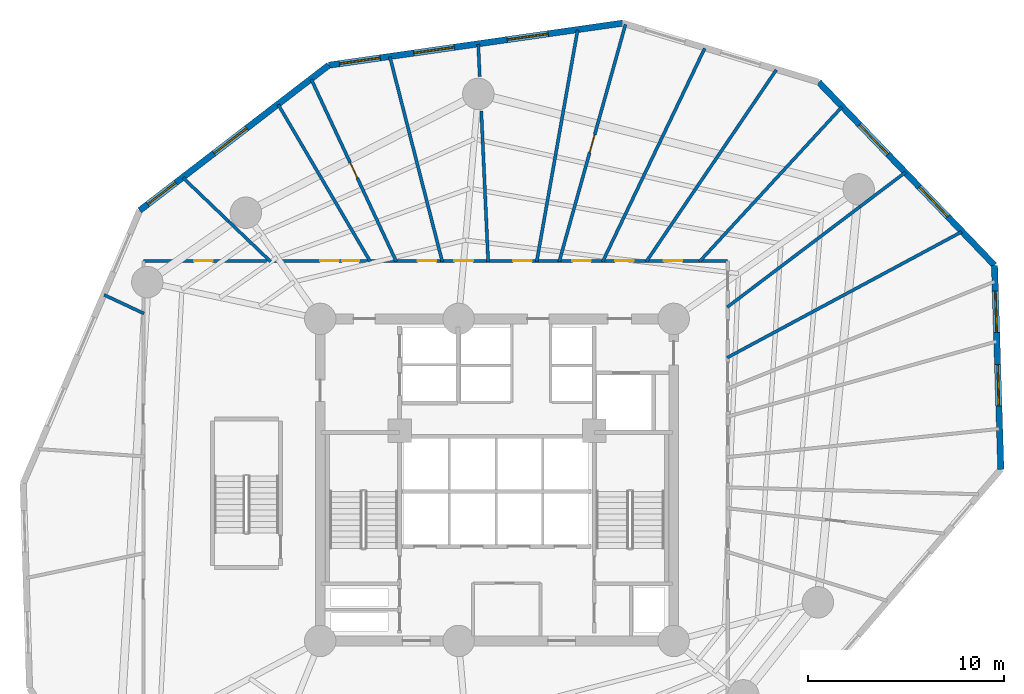
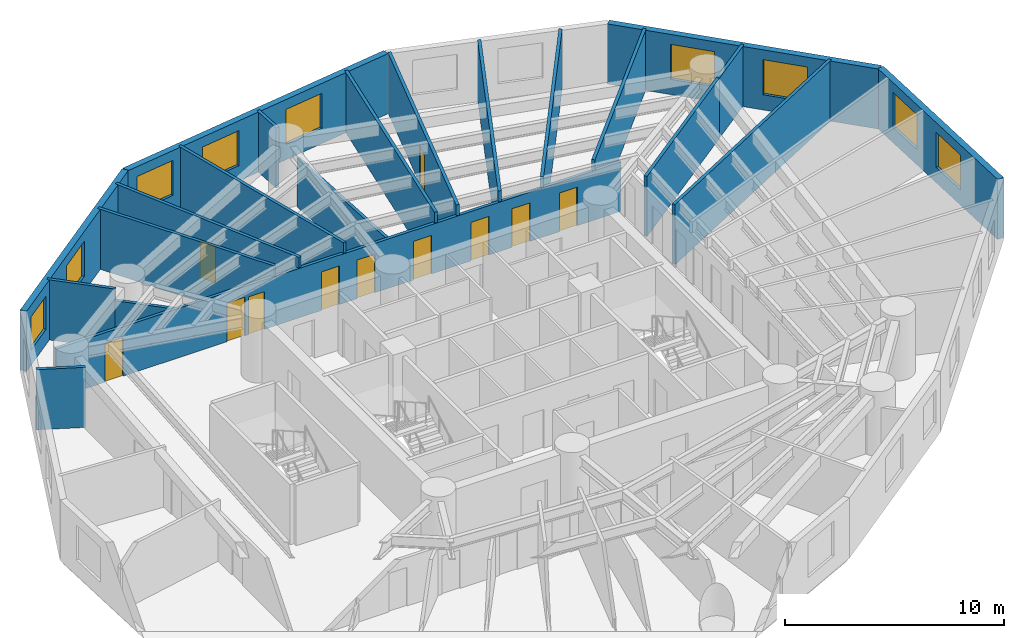
# One storey, part 6 of 8: 21 walls, 11 doors, 9 windows, 20 openings.
"""IFC4 building model written with IfcOpenShell, lengths in metres."""

from ifc_helpers import new_model, si_unit, direction, frame, frame_2d, origin, origin_with_axes, place, context, subcontext, project, spatial, rectangle, extrude, source, transform, mapped, material, layer, layer_set, type_object, element, fill, save


model = new_model("IFC4")

# Units and contexts
model_context = context("Model", 3, precision=1e-05, world=origin(), true_north=direction((0.0, 1.0)))
body_context = subcontext(model_context, "Body", "Model", "MODEL_VIEW")
ifc_project = project(units=[si_unit("LENGTHUNIT", "METRE"), si_unit("AREAUNIT", "SQUARE_METRE"), si_unit("VOLUMEUNIT", "CUBIC_METRE"), si_unit("PLANEANGLEUNIT", "RADIAN"), si_unit("MASSUNIT", "GRAM", prefix="KILO")], contexts=[model_context])

# Site, building, storey
site_placement = place(None, origin())
site = spatial("IfcSite", under=ifc_project, at=site_placement, CompositionType="ELEMENT")
building_placement = place(site_placement, origin())
building = spatial("IfcBuilding", under=site, at=building_placement, Name="Karkom Vertical University and Central Library", CompositionType="ELEMENT")
storey_placement = place(building_placement, frame((0.0, 0.0, 51.699951171875)))
storey = spatial("IfcBuildingStorey", under=building, at=storey_placement, Name="L13", CompositionType="ELEMENT", Elevation=51.699951171875)

# Wall, openings, windows
ifc_material_1 = material(Name="Brick-faced precast concrete C45/55", Category="masonry")
ifc_layer_1 = layer(ifc_material_1, 0.320068359375)
ifc_layer_set_1 = layer_set([ifc_layer_1], Name="Brick-faced precast concrete C45/55")
wall_type_1 = type_object("IfcWallType", Name="ENV-WL-BRK-320", PredefinedType="SOLIDWALL", material=ifc_layer_set_1)
wall_1_placement = place(storey_placement, frame((19.9375, 47.618408203125, 0.0), z_axis=(0.0, 0.0, 1.0), x_axis=(-0.793143969642, -0.609034189041, 0.0)))
wall_1 = element("IfcWall", 1, at=wall_1_placement, inside=storey, type_object=wall_type_1, Name="Level 13 Brick-Faced Precast Facade Wall 01", PredefinedType="SOLIDWALL", context=body_context, shape_type="SweptSolid", body=[
    extrude(rectangle(XDim=12.141357421875, YDim=0.320068359375, at=frame_2d((6.07080078125, 0.0))), origin(), (0.0, 0.0, 1.0), 3.35009765625),
])
opening_1_placement = place(wall_1_placement, frame((5.2705078125, 0.0, 0.85009765625)))
opening_1 = element("IfcOpeningElement", 2, at=opening_1_placement, cuts=wall_1, Name="Opening WN-03", PredefinedType="OPENING", context=body_context, shape_type="SweptSolid", body=[
    extrude(rectangle(XDim=2.10009765625, YDim=1.949951171875, at=frame_2d((1.050048828125, 0.97509765625))), frame((0.0, 0.169921875, 0.0), z_axis=(0.0, -1.0, 0.0), x_axis=(1.0, 0.0, 0.0)), (0.0, 0.0, 1.0), 0.340087890625),
])
opening_2_placement = place(wall_1_placement, frame((9.826904296875, 0.0, 0.85009765625)))
opening_2 = element("IfcOpeningElement", 3, at=opening_2_placement, cuts=wall_1, Name="Opening WN-04", PredefinedType="OPENING", context=body_context, shape_type="SweptSolid", body=[
    extrude(rectangle(XDim=1.800048828125, YDim=1.85009765625, at=frame_2d((0.89990234375, 0.925048828125))), frame((0.0, 0.169921875, 0.0), z_axis=(0.0, -1.0, 0.0), x_axis=(1.0, 0.0, 0.0)), (0.0, 0.0, 1.0), 0.340087890625),
])
ifc_material_2 = material(Name="Aluminium thermal-break frame with solar-control IGU", Category="aluminium")
window_type_1 = type_object("IfcWindowType", Name="ENV-WIN-WN-03", PartitioningType="SINGLE_PANEL", PredefinedType="WINDOW", material=ifc_material_2)
shared_shape_1 = source(origin_with_axes(), body_context, "Body", "SweptSolid", [
    extrude(rectangle(XDim=2.10009765625, YDim=1.949951171875, at=frame_2d((1.050048828125, 0.97509765625))), frame((0.0, 0.030029296875, 0.0), z_axis=(0.0, -1.0, 0.0), x_axis=(1.0, 0.0, 0.0)), (0.0, 0.0, 1.0), 0.06005859375),
])
window_1_placement = place(opening_1_placement, origin())
window_1 = element("IfcWindow", 4, at=window_1_placement, inside=storey, type_object=window_type_1, Name="Level 13 Punched Window 1.1", OverallHeight=1.949951171875, OverallWidth=2.10009765625, PartitioningType="SINGLE_PANEL", PredefinedType="WINDOW", context=body_context, shape_type="MappedRepresentation", body=[
    mapped(shared_shape_1, transform((0.0, 0.0, 0.0), scale=1.0)),
])
fill(opening_1, window_1)
window_type_2 = type_object("IfcWindowType", Name="ENV-WIN-WN-04", PartitioningType="SINGLE_PANEL", PredefinedType="WINDOW", material=ifc_material_2)
shared_shape_2 = source(origin_with_axes(), body_context, "Body", "SweptSolid", [
    extrude(rectangle(XDim=1.800048828125, YDim=1.85009765625, at=frame_2d((0.89990234375, 0.925048828125))), frame((0.0, 0.030029296875, 0.0), z_axis=(0.0, -1.0, 0.0), x_axis=(1.0, 0.0, 0.0)), (0.0, 0.0, 1.0), 0.06005859375),
])
window_2_placement = place(opening_2_placement, origin())
window_2 = element("IfcWindow", 5, at=window_2_placement, inside=storey, type_object=window_type_2, Name="Level 13 Punched Window 1.2", OverallHeight=1.85009765625, OverallWidth=1.800048828125, PartitioningType="SINGLE_PANEL", PredefinedType="WINDOW", context=body_context, shape_type="MappedRepresentation", body=[
    mapped(shared_shape_2, transform((0.0, 0.0, 0.0), scale=1.0)),
])
fill(opening_2, window_2)

wall_2_placement = place(storey_placement, frame((54.158935546875, 27.039306640625, 0.0), z_axis=(0.0, 0.0, 1.0), x_axis=(-0.030964108945, 0.999520497017, 0.0)))
wall_2 = element("IfcWall", 6, at=wall_2_placement, inside=storey, type_object=wall_type_1, Name="Level 13 Brick-Faced Precast Facade Wall 09", PredefinedType="SOLIDWALL", context=body_context, shape_type="SweptSolid", body=[
    extrude(rectangle(XDim=10.391845703125, YDim=0.320068359375, at=frame_2d((5.19580078125, 0.0))), origin(), (0.0, 0.0, 1.0), 3.35009765625),
])
opening_3_placement = place(wall_2_placement, frame((3.23193359375, 0.0, 0.85009765625)))
opening_3 = element("IfcOpeningElement", 7, at=opening_3_placement, cuts=wall_2, Name="Opening WN-03", PredefinedType="OPENING", context=body_context, shape_type="SweptSolid", body=[
    extrude(rectangle(XDim=2.10009765625, YDim=1.949951171875, at=frame_2d((1.050048828125, 0.97509765625))), frame((0.0, 0.169921875, 0.0), z_axis=(0.0, -1.0, 0.0), x_axis=(1.0, 0.0, 0.0)), (0.0, 0.0, 1.0), 0.340087890625),
])
opening_4_placement = place(wall_2_placement, frame((6.97802734375, 0.0, 0.85009765625)))
opening_4 = element("IfcOpeningElement", 8, at=opening_4_placement, cuts=wall_2, Name="Opening WN-03", PredefinedType="OPENING", context=body_context, shape_type="SweptSolid", body=[
    extrude(rectangle(XDim=2.10009765625, YDim=1.949951171875, at=frame_2d((1.050048828125, 0.97509765625))), frame((0.0, 0.169921875, 0.0), z_axis=(0.0, -1.0, 0.0), x_axis=(1.0, 0.0, 0.0)), (0.0, 0.0, 1.0), 0.340087890625),
])
window_3_placement = place(opening_3_placement, origin())
window_3 = element("IfcWindow", 9, at=window_3_placement, inside=storey, type_object=window_type_1, Name="Level 13 Punched Window 9.1", OverallHeight=1.949951171875, OverallWidth=2.10009765625, PartitioningType="SINGLE_PANEL", PredefinedType="WINDOW", context=body_context, shape_type="MappedRepresentation", body=[
    mapped(shared_shape_1, transform((0.0, 0.0, 0.0), scale=1.0)),
])
fill(opening_3, window_3)
window_4_placement = place(opening_4_placement, origin())
window_4 = element("IfcWindow", 10, at=window_4_placement, inside=storey, type_object=window_type_1, Name="Level 13 Punched Window 9.2", OverallHeight=1.949951171875, OverallWidth=2.10009765625, PartitioningType="SINGLE_PANEL", PredefinedType="WINDOW", context=body_context, shape_type="MappedRepresentation", body=[
    mapped(shared_shape_1, transform((0.0, 0.0, 0.0), scale=1.0)),
])
fill(opening_4, window_4)

wall_3_placement = place(storey_placement, frame((53.837158203125, 37.42626953125, 0.0), z_axis=(0.0, 0.0, 1.0), x_axis=(-0.692399846815, 0.721513999955, 0.0)))
wall_3 = element("IfcWall", 11, at=wall_3_placement, inside=storey, type_object=wall_type_1, Name="Level 13 Brick-Faced Precast Facade Wall 10", PredefinedType="SOLIDWALL", context=body_context, shape_type="SweptSolid", body=[
    extrude(rectangle(XDim=12.93896484375, YDim=0.320068359375, at=frame_2d((6.469482421875, 0.0))), origin(), (0.0, 0.0, 1.0), 3.35009765625),
])
opening_5_placement = place(wall_3_placement, frame((3.433837890625, 0.0, 0.85009765625)))
opening_5 = element("IfcOpeningElement", 12, at=opening_5_placement, cuts=wall_3, Name="Opening WN-03", PredefinedType="OPENING", context=body_context, shape_type="SweptSolid", body=[
    extrude(rectangle(XDim=2.10009765625, YDim=1.949951171875, at=frame_2d((1.050048828125, 0.97509765625))), frame((0.0, 0.169921875, 0.0), z_axis=(0.0, -1.0, 0.0), x_axis=(1.0, 0.0, 0.0)), (0.0, 0.0, 1.0), 0.340087890625),
])
opening_6_placement = place(wall_3_placement, frame((7.8330078125, 0.0, 0.85009765625)))
opening_6 = element("IfcOpeningElement", 13, at=opening_6_placement, cuts=wall_3, Name="Opening WN-03", PredefinedType="OPENING", context=body_context, shape_type="SweptSolid", body=[
    extrude(rectangle(XDim=2.10009765625, YDim=1.949951171875, at=frame_2d((1.050048828125, 0.97509765625))), frame((0.0, 0.169921875, 0.0), z_axis=(0.0, -1.0, 0.0), x_axis=(1.0, 0.0, 0.0)), (0.0, 0.0, 1.0), 0.340087890625),
])
window_5_placement = place(opening_5_placement, origin())
window_5 = element("IfcWindow", 14, at=window_5_placement, inside=storey, type_object=window_type_1, Name="Level 13 Punched Window 10.1", OverallHeight=1.949951171875, OverallWidth=2.10009765625, PartitioningType="SINGLE_PANEL", PredefinedType="WINDOW", context=body_context, shape_type="MappedRepresentation", body=[
    mapped(shared_shape_1, transform((0.0, 0.0, 0.0), scale=1.0)),
])
fill(opening_5, window_5)
window_6_placement = place(opening_6_placement, origin())
window_6 = element("IfcWindow", 15, at=window_6_placement, inside=storey, type_object=window_type_1, Name="Level 13 Punched Window 10.2", OverallHeight=1.949951171875, OverallWidth=2.10009765625, PartitioningType="SINGLE_PANEL", PredefinedType="WINDOW", context=body_context, shape_type="MappedRepresentation", body=[
    mapped(shared_shape_1, transform((0.0, 0.0, 0.0), scale=1.0)),
])
fill(opening_6, window_6)

wall_4_placement = place(storey_placement, frame((34.905029296875, 49.760498046875, 0.0), z_axis=(0.0, 0.0, 1.0), x_axis=(-0.989913615901, -0.14167227341, 0.0)))
wall_4 = element("IfcWall", 16, at=wall_4_placement, inside=storey, type_object=wall_type_1, Name="Level 13 Brick-Faced Precast Facade Wall 12", PredefinedType="SOLIDWALL", context=body_context, shape_type="SweptSolid", body=[
    extrude(rectangle(XDim=15.1201171875, YDim=0.320068359375, at=frame_2d((7.56005859375, 0.0))), origin(), (0.0, 0.0, 1.0), 3.35009765625),
])
opening_7_placement = place(wall_4_placement, frame((3.8369140625, 0.0, 0.85009765625)))
opening_7 = element("IfcOpeningElement", 17, at=opening_7_placement, cuts=wall_4, Name="Opening WN-03", PredefinedType="OPENING", context=body_context, shape_type="SweptSolid", body=[
    extrude(rectangle(XDim=2.10009765625, YDim=1.949951171875, at=frame_2d((1.050048828125, 0.97509765625))), frame((0.0, 0.169921875, 0.0), z_axis=(0.0, -1.0, 0.0), x_axis=(1.0, 0.0, 0.0)), (0.0, 0.0, 1.0), 0.340087890625),
])
opening_8_placement = place(wall_4_placement, frame((8.65771484375, 0.0, 0.85009765625)))
opening_8 = element("IfcOpeningElement", 18, at=opening_8_placement, cuts=wall_4, Name="Opening WN-03", PredefinedType="OPENING", context=body_context, shape_type="SweptSolid", body=[
    extrude(rectangle(XDim=2.10009765625, YDim=1.949951171875, at=frame_2d((1.050048828125, 0.97509765625))), frame((0.0, 0.169921875, 0.0), z_axis=(0.0, -1.0, 0.0), x_axis=(1.0, 0.0, 0.0)), (0.0, 0.0, 1.0), 0.340087890625),
])
opening_9_placement = place(wall_4_placement, frame((12.46826171875, 0.0, 0.85009765625)))
opening_9 = element("IfcOpeningElement", 19, at=opening_9_placement, cuts=wall_4, Name="Opening WN-03", PredefinedType="OPENING", context=body_context, shape_type="SweptSolid", body=[
    extrude(rectangle(XDim=2.10009765625, YDim=1.949951171875, at=frame_2d((1.050048828125, 0.97509765625))), frame((0.0, 0.169921875, 0.0), z_axis=(0.0, -1.0, 0.0), x_axis=(1.0, 0.0, 0.0)), (0.0, 0.0, 1.0), 0.340087890625),
])
window_7_placement = place(opening_7_placement, origin())
window_7 = element("IfcWindow", 20, at=window_7_placement, inside=storey, type_object=window_type_1, Name="Level 13 Punched Window 12.1", OverallHeight=1.949951171875, OverallWidth=2.10009765625, PartitioningType="SINGLE_PANEL", PredefinedType="WINDOW", context=body_context, shape_type="MappedRepresentation", body=[
    mapped(shared_shape_1, transform((0.0, 0.0, 0.0), scale=1.0)),
])
fill(opening_7, window_7)
window_8_placement = place(opening_8_placement, origin())
window_8 = element("IfcWindow", 21, at=window_8_placement, inside=storey, type_object=window_type_1, Name="Level 13 Punched Window 12.2", OverallHeight=1.949951171875, OverallWidth=2.10009765625, PartitioningType="SINGLE_PANEL", PredefinedType="WINDOW", context=body_context, shape_type="MappedRepresentation", body=[
    mapped(shared_shape_1, transform((0.0, 0.0, 0.0), scale=1.0)),
])
fill(opening_8, window_8)
window_9_placement = place(opening_9_placement, origin())
window_9 = element("IfcWindow", 22, at=window_9_placement, inside=storey, type_object=window_type_1, Name="Level 13 Punched Window 12.3", OverallHeight=1.949951171875, OverallWidth=2.10009765625, PartitioningType="SINGLE_PANEL", PredefinedType="WINDOW", context=body_context, shape_type="MappedRepresentation", body=[
    mapped(shared_shape_1, transform((0.0, 0.0, 0.0), scale=1.0)),
])
fill(opening_9, window_9)

# Wall, openings, doors
ifc_material_3 = material(Name="Insulated metal-stud drywall 160mm", Category="gypsum")
ifc_layer_2 = layer(ifc_material_3, 0.159912109375)
ifc_layer_set_2 = layer_set([ifc_layer_2], Name="Insulated metal-stud drywall 160mm")
wall_type_2 = type_object("IfcWallType", Name="INT-WL-COR-160", PredefinedType="PARTITIONING", material=ifc_layer_set_2)
wall_5_placement = place(storey_placement, frame((10.5, 37.64990234375, 0.0), z_axis=(0.0, 0.0, 1.0), x_axis=(1.0, 0.0, 0.0)))
wall_5 = element("IfcWall", 23, at=wall_5_placement, inside=storey, type_object=wall_type_2, Name="Level 13 Interior Partition Wall L13-CORW-CW-003", PredefinedType="PARTITIONING", context=body_context, shape_type="SweptSolid", body=[
    extrude(rectangle(XDim=29.75, YDim=0.159912109375, at=frame_2d((14.875, 0.0))), origin(), (0.0, 0.0, 1.0), 2.75),
])
opening_10_placement = place(wall_5_placement, frame((26.49560546875, 0.0, 0.0)))
opening_10 = element("IfcOpeningElement", 24, at=opening_10_placement, cuts=wall_5, Name="Opening D-RM1", PredefinedType="OPENING", context=body_context, shape_type="SweptSolid", body=[
    extrude(rectangle(XDim=0.949951171875, YDim=2.14990234375, at=frame_2d((0.47509765625, 1.074951171875))), frame((0.0, 0.08984375, 0.0), z_axis=(0.0, -1.0, 0.0), x_axis=(1.0, 0.0, 0.0)), (0.0, 0.0, 1.0), 0.179931640625),
])
opening_11_placement = place(wall_5_placement, frame((24.01416015625, 0.0, 0.0)))
opening_11 = element("IfcOpeningElement", 25, at=opening_11_placement, cuts=wall_5, Name="Opening D-RM1", PredefinedType="OPENING", context=body_context, shape_type="SweptSolid", body=[
    extrude(rectangle(XDim=0.949951171875, YDim=2.14990234375, at=frame_2d((0.47509765625, 1.074951171875))), frame((0.0, 0.08984375, 0.0), z_axis=(0.0, -1.0, 0.0), x_axis=(1.0, 0.0, 0.0)), (0.0, 0.0, 1.0), 0.179931640625),
])
opening_12_placement = place(wall_5_placement, frame((21.83740234375, 0.0, 0.0)))
opening_12 = element("IfcOpeningElement", 26, at=opening_12_placement, cuts=wall_5, Name="Opening D-RM1", PredefinedType="OPENING", context=body_context, shape_type="SweptSolid", body=[
    extrude(rectangle(XDim=0.949951171875, YDim=2.14990234375, at=frame_2d((0.47509765625, 1.074951171875))), frame((0.0, 0.08984375, 0.0), z_axis=(0.0, -1.0, 0.0), x_axis=(1.0, 0.0, 0.0)), (0.0, 0.0, 1.0), 0.179931640625),
])
opening_13_placement = place(wall_5_placement, frame((18.822509765625, 0.0, 0.0)))
opening_13 = element("IfcOpeningElement", 27, at=opening_13_placement, cuts=wall_5, Name="Opening D-RM1", PredefinedType="OPENING", context=body_context, shape_type="SweptSolid", body=[
    extrude(rectangle(XDim=0.949951171875, YDim=2.14990234375, at=frame_2d((0.47509765625, 1.074951171875))), frame((0.0, 0.08984375, 0.0), z_axis=(0.0, -1.0, 0.0), x_axis=(1.0, 0.0, 0.0)), (0.0, 0.0, 1.0), 0.179931640625),
])
opening_14_placement = place(wall_5_placement, frame((15.83251953125, 0.0, 0.0)))
opening_14 = element("IfcOpeningElement", 28, at=opening_14_placement, cuts=wall_5, Name="Opening D-RM1", PredefinedType="OPENING", context=body_context, shape_type="SweptSolid", body=[
    extrude(rectangle(XDim=0.949951171875, YDim=2.14990234375, at=frame_2d((0.47509765625, 1.074951171875))), frame((0.0, 0.08984375, 0.0), z_axis=(0.0, -1.0, 0.0), x_axis=(1.0, 0.0, 0.0)), (0.0, 0.0, 1.0), 0.179931640625),
])
opening_15_placement = place(wall_5_placement, frame((13.9599609375, 0.0, 0.0)))
opening_15 = element("IfcOpeningElement", 29, at=opening_15_placement, cuts=wall_5, Name="Opening D-RM1", PredefinedType="OPENING", context=body_context, shape_type="SweptSolid", body=[
    extrude(rectangle(XDim=0.949951171875, YDim=2.14990234375, at=frame_2d((0.47509765625, 1.074951171875))), frame((0.0, 0.08984375, 0.0), z_axis=(0.0, -1.0, 0.0), x_axis=(1.0, 0.0, 0.0)), (0.0, 0.0, 1.0), 0.179931640625),
])
opening_16_placement = place(wall_5_placement, frame((10.118408203125, 0.0, 0.0)))
opening_16 = element("IfcOpeningElement", 30, at=opening_16_placement, cuts=wall_5, Name="Opening D-BATH", PredefinedType="OPENING", context=body_context, shape_type="SweptSolid", body=[
    extrude(rectangle(XDim=0.860107421875, YDim=2.10009765625, at=frame_2d((0.43017578125, 1.050048828125))), frame((0.0, 0.08984375, 0.0), z_axis=(0.0, -1.0, 0.0), x_axis=(1.0, 0.0, 0.0)), (0.0, 0.0, 1.0), 0.179931640625),
])
opening_17_placement = place(wall_5_placement, frame((8.99755859375, 0.0, 0.0)))
opening_17 = element("IfcOpeningElement", 31, at=opening_17_placement, cuts=wall_5, Name="Opening D-RM1", PredefinedType="OPENING", context=body_context, shape_type="SweptSolid", body=[
    extrude(rectangle(XDim=0.949951171875, YDim=2.14990234375, at=frame_2d((0.47509765625, 1.074951171875))), frame((0.0, 0.08984375, 0.0), z_axis=(0.0, -1.0, 0.0), x_axis=(1.0, 0.0, 0.0)), (0.0, 0.0, 1.0), 0.179931640625),
])
opening_18_placement = place(wall_5_placement, frame((2.5771484375, 0.0, 0.0)))
opening_18 = element("IfcOpeningElement", 32, at=opening_18_placement, cuts=wall_5, Name="Opening D-RM1", PredefinedType="OPENING", context=body_context, shape_type="SweptSolid", body=[
    extrude(rectangle(XDim=0.949951171875, YDim=2.14990234375, at=frame_2d((0.47509765625, 1.074951171875))), frame((0.0, 0.08984375, 0.0), z_axis=(0.0, -1.0, 0.0), x_axis=(1.0, 0.0, 0.0)), (0.0, 0.0, 1.0), 0.179931640625),
])
ifc_material_4 = material(Name="Moisture-resistant oak door", Category="wood")
door_type_1 = type_object("IfcDoorType", Name="INT-DR-BATH", OperationType="NOTDEFINED", PredefinedType="DOOR", material=ifc_material_4)
shared_shape_3 = source(origin_with_axes(), body_context, "Body", "SweptSolid", [
    extrude(rectangle(XDim=0.860107421875, YDim=2.10009765625, at=frame_2d((0.43017578125, 1.050048828125))), frame((0.0, 0.02490234375, 0.0), z_axis=(0.0, -1.0, 0.0), x_axis=(1.0, 0.0, 0.0)), (0.0, 0.0, 1.0), 0.050048828125),
])
door_1_placement = place(opening_16_placement, origin())
door_1 = element("IfcDoor", 33, at=door_1_placement, inside=storey, type_object=door_type_1, Name="Level 13 Room Entry Door 270", OperationType="SINGLE_SWING_RIGHT", OverallHeight=2.10009765625, OverallWidth=0.860107421875, PredefinedType="DOOR", context=body_context, shape_type="MappedRepresentation", body=[
    mapped(shared_shape_3, transform((0.0, 0.0, 0.0), scale=1.0)),
])
fill(opening_16, door_1)
ifc_material_5 = material(Name="Solid-core oak veneer door", Category="wood")
door_type_2 = type_object("IfcDoorType", Name="INT-DR-RM1", OperationType="NOTDEFINED", PredefinedType="DOOR", material=ifc_material_5)
shared_shape_4 = source(origin_with_axes(), body_context, "Body", "SweptSolid", [
    extrude(rectangle(XDim=0.949951171875, YDim=2.14990234375, at=frame_2d((0.47509765625, 1.074951171875))), frame((0.0, 0.02490234375, 0.0), z_axis=(0.0, -1.0, 0.0), x_axis=(1.0, 0.0, 0.0)), (0.0, 0.0, 1.0), 0.050048828125),
])
door_2_placement = place(opening_10_placement, origin())
door_2 = element("IfcDoor", 34, at=door_2_placement, inside=storey, type_object=door_type_2, Name="Level 13 Room Entry Door 200", OperationType="SINGLE_SWING_RIGHT", OverallHeight=2.14990234375, OverallWidth=0.949951171875, PredefinedType="DOOR", context=body_context, shape_type="MappedRepresentation", body=[
    mapped(shared_shape_4, transform((0.0, 0.0, 0.0), scale=1.0)),
])
fill(opening_10, door_2)
door_3_placement = place(opening_11_placement, origin())
door_3 = element("IfcDoor", 35, at=door_3_placement, inside=storey, type_object=door_type_2, Name="Level 13 Room Entry Door 210", OperationType="SINGLE_SWING_LEFT", OverallHeight=2.14990234375, OverallWidth=0.949951171875, PredefinedType="DOOR", context=body_context, shape_type="MappedRepresentation", body=[
    mapped(shared_shape_4, transform((0.0, 0.0, 0.0), scale=1.0)),
])
fill(opening_11, door_3)
door_4_placement = place(opening_12_placement, origin())
door_4 = element("IfcDoor", 36, at=door_4_placement, inside=storey, type_object=door_type_2, Name="Level 13 Room Entry Door 220", OperationType="SINGLE_SWING_RIGHT", OverallHeight=2.14990234375, OverallWidth=0.949951171875, PredefinedType="DOOR", context=body_context, shape_type="MappedRepresentation", body=[
    mapped(shared_shape_4, transform((0.0, 0.0, 0.0), scale=1.0)),
])
fill(opening_12, door_4)
door_5_placement = place(opening_13_placement, origin())
door_5 = element("IfcDoor", 37, at=door_5_placement, inside=storey, type_object=door_type_2, Name="Level 13 Room Entry Door 240", OperationType="SINGLE_SWING_LEFT", OverallHeight=2.14990234375, OverallWidth=0.949951171875, PredefinedType="DOOR", context=body_context, shape_type="MappedRepresentation", body=[
    mapped(shared_shape_4, transform((0.0, 0.0, 0.0), scale=1.0)),
])
fill(opening_13, door_5)
door_6_placement = place(opening_14_placement, origin())
door_6 = element("IfcDoor", 38, at=door_6_placement, inside=storey, type_object=door_type_2, Name="Level 13 Room Entry Door 250", OperationType="SINGLE_SWING_RIGHT", OverallHeight=2.14990234375, OverallWidth=0.949951171875, PredefinedType="DOOR", context=body_context, shape_type="MappedRepresentation", body=[
    mapped(shared_shape_4, transform((0.0, 0.0, 0.0), scale=1.0)),
])
fill(opening_14, door_6)
door_7_placement = place(opening_15_placement, origin())
door_7 = element("IfcDoor", 39, at=door_7_placement, inside=storey, type_object=door_type_2, Name="Level 13 Room Entry Door 260", OperationType="SINGLE_SWING_LEFT", OverallHeight=2.14990234375, OverallWidth=0.949951171875, PredefinedType="DOOR", context=body_context, shape_type="MappedRepresentation", body=[
    mapped(shared_shape_4, transform((0.0, 0.0, 0.0), scale=1.0)),
])
fill(opening_15, door_7)
door_8_placement = place(opening_17_placement, origin())
door_8 = element("IfcDoor", 40, at=door_8_placement, inside=storey, type_object=door_type_2, Name="Level 13 Room Entry Door 280", OperationType="SINGLE_SWING_LEFT", OverallHeight=2.14990234375, OverallWidth=0.949951171875, PredefinedType="DOOR", context=body_context, shape_type="MappedRepresentation", body=[
    mapped(shared_shape_4, transform((0.0, 0.0, 0.0), scale=1.0)),
])
fill(opening_17, door_8)
door_9_placement = place(opening_18_placement, origin())
door_9 = element("IfcDoor", 41, at=door_9_placement, inside=storey, type_object=door_type_2, Name="Level 13 Room Entry Door 290", OperationType="SINGLE_SWING_RIGHT", OverallHeight=2.14990234375, OverallWidth=0.949951171875, PredefinedType="DOOR", context=body_context, shape_type="MappedRepresentation", body=[
    mapped(shared_shape_4, transform((0.0, 0.0, 0.0), scale=1.0)),
])
fill(opening_18, door_9)

# Wall
wall_6_placement = place(storey_placement, frame((40.2236328125, 32.724609375, 0.0), z_axis=(0.0, 0.0, 1.0), x_axis=(0.881103866533, 0.472922801714, 0.0)))
element("IfcWall", 42, at=wall_6_placement, inside=storey, type_object=wall_type_2, Name="Level 13 Interior Partition Wall L13-PW-023", PredefinedType="PARTITIONING", context=body_context, shape_type="SweptSolid", body=[
    extrude(rectangle(XDim=13.549072265625, YDim=0.159912109375, at=frame_2d((6.7744140625, 0.0))), origin(), (0.0, 0.0, 1.0), 3.35009765625),
])

# Wall, opening, door
wall_7_placement = place(storey_placement, frame((31.667236328125, 37.606689453125, 0.0), z_axis=(0.0, 0.0, 1.0), x_axis=(0.269222898179, 0.963077894615, 0.0)))
wall_7 = element("IfcWall", 43, at=wall_7_placement, inside=storey, type_object=wall_type_2, Name="Level 13 Interior Partition Wall L13-PW-029", PredefinedType="PARTITIONING", context=body_context, shape_type="SweptSolid", body=[
    extrude(rectangle(XDim=12.548828125, YDim=0.159912109375, at=frame_2d((6.2744140625, 0.0))), origin(), (0.0, 0.0, 1.0), 3.35009765625),
])
opening_19_placement = place(wall_7_placement, frame((5.7744140625, 0.0, 0.0)))
opening_19 = element("IfcOpeningElement", 44, at=opening_19_placement, cuts=wall_7, Name="Opening D-RM1", PredefinedType="OPENING", context=body_context, shape_type="SweptSolid", body=[
    extrude(rectangle(XDim=0.949951171875, YDim=2.14990234375, at=frame_2d((0.47509765625, 1.074951171875))), frame((0.0, 0.08984375, 0.0), z_axis=(0.0, -1.0, 0.0), x_axis=(1.0, 0.0, 0.0)), (0.0, 0.0, 1.0), 0.179931640625),
])
door_10_placement = place(opening_19_placement, origin())
door_10 = element("IfcDoor", 45, at=door_10_placement, inside=storey, type_object=door_type_2, Name="Level 13 Room Entry Door 230", OperationType="SINGLE_SWING_LEFT", OverallHeight=2.14990234375, OverallWidth=0.949951171875, PredefinedType="DOOR", context=body_context, shape_type="MappedRepresentation", body=[
    mapped(shared_shape_4, transform((0.0, 0.0, 0.0), scale=1.0)),
])
fill(opening_19, door_10)

# Walls
wall_8_placement = place(storey_placement, frame((33.881103515625, 37.609375, 0.0), z_axis=(0.0, 0.0, 1.0), x_axis=(0.431534367957, 0.902096496652, 0.0)))
element("IfcWall", 46, at=wall_8_placement, inside=storey, type_object=wall_type_2, Name="Level 13 Interior Partition Wall L13-PW-028", PredefinedType="PARTITIONING", context=body_context, shape_type="SweptSolid", body=[
    extrude(rectangle(XDim=12.048095703125, YDim=0.159912109375, at=frame_2d((6.02392578125, 0.0))), origin(), (0.0, 0.0, 1.0), 3.35009765625),
])
wall_9_placement = place(storey_placement, frame((30.5234375, 37.605712890625, 0.0), z_axis=(0.0, 0.0, 1.0), x_axis=(0.174010859043, 0.984743733636, 0.0)))
element("IfcWall", 47, at=wall_9_placement, inside=storey, type_object=wall_type_2, Name="Level 13 Interior Partition Wall L13-PW-030", PredefinedType="PARTITIONING", context=body_context, shape_type="SweptSolid", body=[
    extrude(rectangle(XDim=11.98046875, YDim=0.159912109375, at=frame_2d((5.990234375, 0.0))), origin(), (0.0, 0.0, 1.0), 3.35009765625),
])
wall_10_placement = place(storey_placement, frame((36.105224609375, 37.61279296875, 0.0), z_axis=(0.0, 0.0, 1.0), x_axis=(0.561091510163, 0.827753778139, 0.0)))
element("IfcWall", 48, at=wall_10_placement, inside=storey, type_object=wall_type_2, Name="Level 13 Interior Partition Wall L13-PW-027", PredefinedType="PARTITIONING", context=body_context, shape_type="SweptSolid", body=[
    extrude(rectangle(XDim=11.799560546875, YDim=0.159912109375, at=frame_2d((5.89990234375, 0.0))), origin(), (0.0, 0.0, 1.0), 3.35009765625),
])
wall_11_placement = place(storey_placement, frame((25.718994140625, 37.6064453125, 0.0), z_axis=(0.0, 0.0, 1.0), x_axis=(-0.247973301348, 0.968766866598, 0.0)))
element("IfcWall", 49, at=wall_11_placement, inside=storey, type_object=wall_type_2, Name="Level 13 Interior Partition Wall L13-PW-033", PredefinedType="PARTITIONING", context=body_context, shape_type="SweptSolid", body=[
    extrude(rectangle(XDim=10.76806640625, YDim=0.159912109375, at=frame_2d((5.384033203125, 0.0))), origin(), (0.0, 0.0, 1.0), 3.35009765625),
])
wall_12_placement = place(storey_placement, frame((38.8154296875, 37.616943359375, 0.0), z_axis=(0.0, 0.0, 1.0), x_axis=(0.677291247511, 0.735715003275, 0.0)))
element("IfcWall", 50, at=wall_12_placement, inside=storey, type_object=wall_type_2, Name="Level 13 Interior Partition Wall L13-PW-026", PredefinedType="PARTITIONING", context=body_context, shape_type="SweptSolid", body=[
    extrude(rectangle(XDim=10.701904296875, YDim=0.159912109375, at=frame_2d((5.35107421875, 0.0))), origin(), (0.0, 0.0, 1.0), 3.35009765625),
])

# Wall, opening, door
wall_13_placement = place(storey_placement, frame((23.374755859375, 37.622802734375, 0.0), z_axis=(0.0, 0.0, 1.0), x_axis=(-0.422936380063, 0.906159378045, 0.0)))
wall_13 = element("IfcWall", 51, at=wall_13_placement, inside=storey, type_object=wall_type_2, Name="Level 13 Interior Partition Wall L13-PW-034", PredefinedType="PARTITIONING", context=body_context, shape_type="SweptSolid", body=[
    extrude(rectangle(XDim=10.237548828125, YDim=0.159912109375, at=frame_2d((5.11865234375, 0.0))), origin(), (0.0, 0.0, 1.0), 3.35009765625),
])
opening_20_placement = place(wall_13_placement, frame((4.688720703125, 0.0, 0.0)))
opening_20 = element("IfcOpeningElement", 52, at=opening_20_placement, cuts=wall_13, Name="Opening FD-BTH2", PredefinedType="OPENING", context=body_context, shape_type="SweptSolid", body=[
    extrude(rectangle(XDim=0.860107421875, YDim=2.0400390625, at=frame_2d((0.43017578125, 1.02001953125))), frame((0.0, 0.08984375, 0.0), z_axis=(0.0, -1.0, 0.0), x_axis=(1.0, 0.0, 0.0)), (0.0, 0.0, 1.0), 0.179931640625),
])
ifc_material_6 = material(Name="Fire-rated moisture-resistant oak door", Category="wood")
door_type_3 = type_object("IfcDoorType", Name="INT-DR-FBTH2", OperationType="NOTDEFINED", PredefinedType="DOOR", material=ifc_material_6)
shared_shape_5 = source(origin_with_axes(), body_context, "Body", "SweptSolid", [
    extrude(rectangle(XDim=0.860107421875, YDim=2.0400390625, at=frame_2d((0.43017578125, 1.02001953125))), frame((0.0, 0.02490234375, 0.0), z_axis=(0.0, -1.0, 0.0), x_axis=(1.0, 0.0, 0.0)), (0.0, 0.0, 1.0), 0.050048828125),
])
door_11_placement = place(opening_20_placement, origin())
door_11 = element("IfcDoor", 53, at=door_11_placement, inside=storey, type_object=door_type_3, Name="Level 13 Faculty Consultation and Research Office Entry Door", OperationType="SINGLE_SWING_LEFT", OverallHeight=2.0400390625, OverallWidth=0.860107421875, PredefinedType="DOOR", context=body_context, shape_type="MappedRepresentation", body=[
    mapped(shared_shape_5, transform((0.0, 0.0, 0.0), scale=1.0)),
])
fill(opening_20, door_11)

# Walls
wall_14_placement = place(storey_placement, frame((22.04638671875, 37.6240234375, 0.0), z_axis=(0.0, 0.0, 1.0), x_axis=(-0.505840642394, 0.862626943993, 0.0)))
element("IfcWall", 54, at=wall_14_placement, inside=storey, type_object=wall_type_2, Name="Level 13 Interior Partition Wall L13-PW-035", PredefinedType="PARTITIONING", context=body_context, shape_type="SweptSolid", body=[
    extrude(rectangle(XDim=9.257568359375, YDim=0.159912109375, at=frame_2d((4.62890625, 0.0))), origin(), (0.0, 0.0, 1.0), 3.35009765625),
])
wall_15_placement = place(storey_placement, frame((40.22607421875, 35.297607421875, 0.0), z_axis=(0.0, 0.0, 1.0), x_axis=(0.797440445862, 0.603397659346, 0.0)))
element("IfcWall", 55, at=wall_15_placement, inside=storey, type_object=wall_type_2, Name="Level 13 Interior Partition Wall L13-PW-024", PredefinedType="PARTITIONING", context=body_context, shape_type="SweptSolid", body=[
    extrude(rectangle(XDim=8.482666015625, YDim=0.159912109375, at=frame_2d((4.2412109375, 0.0))), origin(), (0.0, 0.0, 1.0), 3.35009765625),
])
wall_16_placement = place(storey_placement, frame((28.0537109375, 37.60498046875, 0.0), z_axis=(0.0, 0.0, 1.0), x_axis=(-0.045560532903, 0.998961579763, 0.0)))
element("IfcWall", 56, at=wall_16_placement, inside=storey, type_object=wall_type_2, Name="Level 13 Interior Partition Wall L13-PW-031", PredefinedType="PARTITIONING", context=body_context, shape_type="SweptSolid", body=[
    extrude(rectangle(XDim=7.678955078125, YDim=0.159912109375, at=frame_2d((3.83935546875, 0.0))), origin(), (0.0, 0.0, 1.0), 2.699951171875),
])
wall_17_placement = place(storey_placement, frame((14.833984375, 39.66748046875, 0.0), z_axis=(0.0, 0.0, 1.0), x_axis=(-0.722306393166, 0.691573188022, 0.0)))
element("IfcWall", 57, at=wall_17_placement, inside=storey, type_object=wall_type_2, Name="Level 13 Interior Partition Wall L13-PW-037", PredefinedType="PARTITIONING", context=body_context, shape_type="SweptSolid", body=[
    extrude(rectangle(XDim=3.209228515625, YDim=0.159912109375, at=frame_2d((1.6044921875, 0.0))), origin(), (0.0, 0.0, 1.0), 3.35009765625),
])
wall_18_placement = place(storey_placement, frame((16.9736328125, 37.618896484375, 0.0), z_axis=(0.0, 0.0, 1.0), x_axis=(-0.722274713214, 0.691606274301, 0.0)))
element("IfcWall", 58, at=wall_18_placement, inside=storey, type_object=wall_type_2, Name="Level 13 Interior Partition Wall L13-PW-036", PredefinedType="PARTITIONING", context=body_context, shape_type="SweptSolid", body=[
    extrude(rectangle(XDim=2.96142578125, YDim=0.159912109375, at=frame_2d((1.480712890625, 0.0))), origin(), (0.0, 0.0, 1.0), 2.699951171875),
])
wall_19_placement = place(storey_placement, frame((10.527099609375, 34.972412109375, 0.0), z_axis=(0.0, 0.0, 1.0), x_axis=(-0.905812243342, 0.423679336068, 0.0)))
element("IfcWall", 59, at=wall_19_placement, inside=storey, type_object=wall_type_2, Name="Level 13 Interior Partition Wall L13-PW-038", PredefinedType="PARTITIONING", context=body_context, shape_type="SweptSolid", body=[
    extrude(rectangle(XDim=2.23876953125, YDim=0.159912109375, at=frame_2d((1.119384765625, 0.0))), origin(), (0.0, 0.0, 1.0), 3.35009765625),
])
wall_20_placement = place(storey_placement, frame((46.994384765625, 40.4189453125, 0.0), z_axis=(0.0, 0.0, 1.0), x_axis=(0.797453528926, 0.603380368593, 0.0)))
element("IfcWall", 60, at=wall_20_placement, inside=storey, type_object=wall_type_2, Name="Level 13 Interior Partition Wall L13-PW-025", PredefinedType="PARTITIONING", context=body_context, shape_type="SweptSolid", body=[
    extrude(rectangle(XDim=2.89599609375, YDim=0.159912109375, at=frame_2d((1.447998046875, 0.0))), origin(), (0.0, 0.0, 1.0), 3.35009765625),
])
wall_21_placement = place(storey_placement, frame((27.62353515625, 47.035888671875, 0.0), z_axis=(0.0, 0.0, 1.0), x_axis=(-0.045481582302, 0.998965177407, 0.0)))
element("IfcWall", 61, at=wall_21_placement, inside=storey, type_object=wall_type_2, Name="Level 13 Interior Partition Wall L13-PW-032", PredefinedType="PARTITIONING", context=body_context, shape_type="SweptSolid", body=[
    extrude(rectangle(XDim=1.64794921875, YDim=0.159912109375, at=frame_2d((0.823974609375, 0.0))), origin(), (0.0, 0.0, 1.0), 3.35009765625),
])

save(model, "model.ifc")
